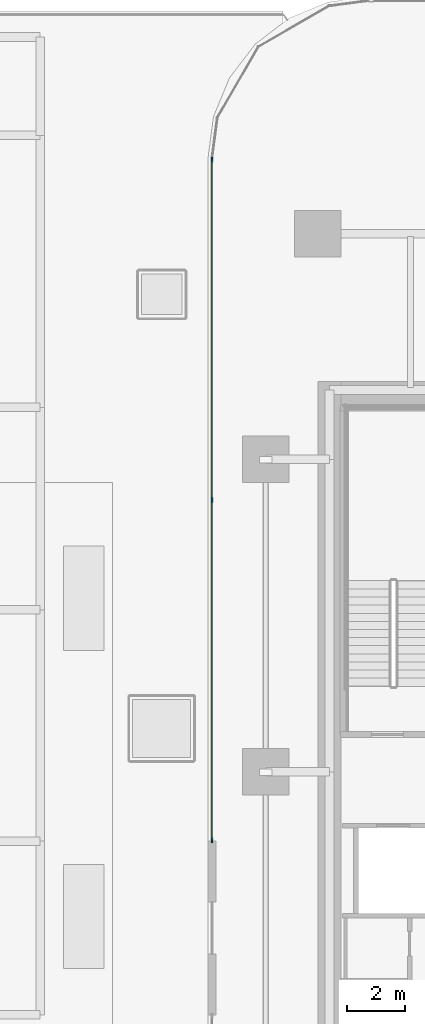
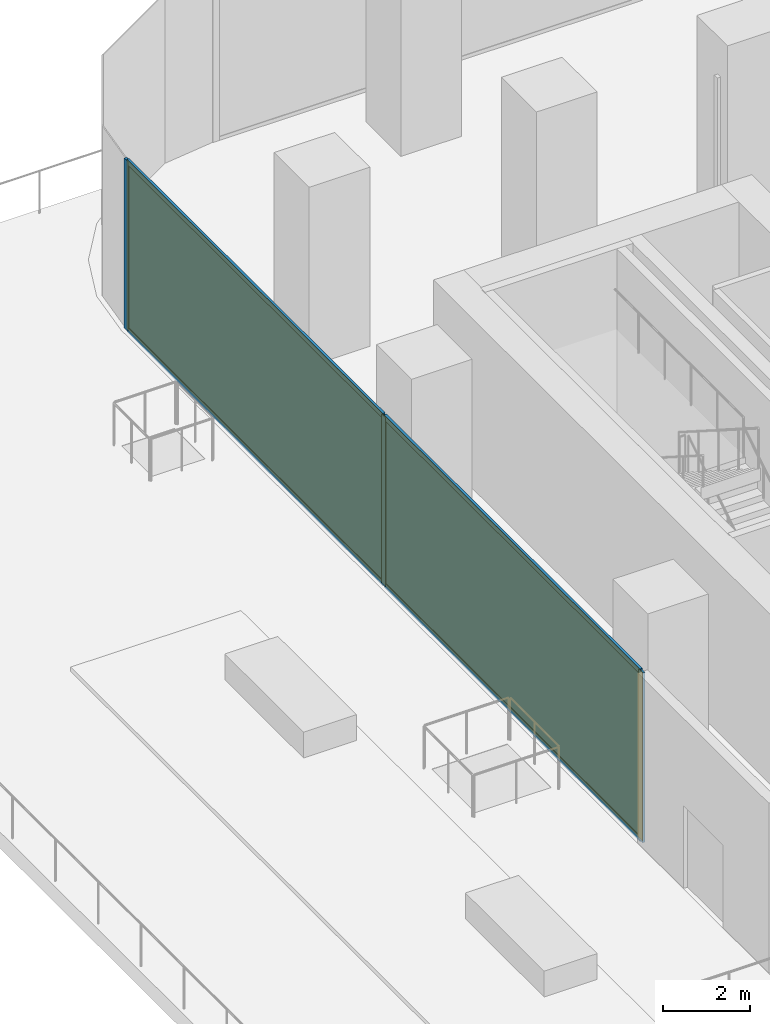
# One storey, part 13 of 21: 7 members, 2 plates, 1 curtain wall.
"""IFC4 building model written with IfcOpenShell, lengths in metres."""

import ifcopenshell
import ifcopenshell.guid

model = None  # the IFC model being written
_history = None  # IfcOwnerHistory: only IFC2X3 demands one
_inside = {}  # id of a spatial element -> (the spatial element, [elements in it])
_under = {}  # id of a project, library or spatial element -> (it, [spatial elements below it])
_declared = {}  # id of a project -> (the project, [libraries it declares])
_typed = {}  # id of a type object -> (the type object, [elements of that type])
_made_of = {}  # id of a material, layer set ... -> (it, [elements and type objects made of it])


def new_model(schema):
    """Start an empty IFC model of exactly this schema.

    Asked for "IFC4X3", IfcOpenShell would pick the latest addendum, in which some entities
    have other attributes; the version numbers below select the first issue.
    IFC2X3 requires an IfcOwnerHistory on every rooted entity: one is made here for all.
    """
    global model, _history
    if schema == "IFC4X3":
        model = ifcopenshell.file(schema_version=(4, 3, 0, 0))
    else:
        model = ifcopenshell.file(schema=schema)
    _inside.clear()
    _under.clear()
    _declared.clear()
    _typed.clear()
    _made_of.clear()
    _history = None
    if model.schema == "IFC2X3":
        org = make("IfcOrganization", Name="unknown")
        user = make(
            "IfcPersonAndOrganization",
            ThePerson=make("IfcPerson", FamilyName="unknown"),
            TheOrganization=org,
        )
        app = make(
            "IfcApplication",
            ApplicationDeveloper=org,
            Version="unknown",
            ApplicationFullName="unknown",
            ApplicationIdentifier="unknown",
        )
        _history = make(
            "IfcOwnerHistory",
            OwningUser=user,
            OwningApplication=app,
            ChangeAction="ADDED",
            CreationDate=0,
        )
    return model


def make(cls, **values):
    """One entity of the class cls with the attributes given. An attribute that is None is left unset."""
    return model.create_entity(
        cls, **{name: value for name, value in values.items() if value is not None}
    )


def rooted(cls, **values):
    """An entity with a GlobalId (a new one), such as an element, a storey or a relation."""
    return make(cls, GlobalId=ifcopenshell.guid.new(), OwnerHistory=_history, **values)


def si_unit(unit_type, name, prefix=None):
    """IfcSIUnit, for example si_unit("LENGTHUNIT", "METRE", prefix="MILLI")."""
    return make("IfcSIUnit", UnitType=unit_type, Prefix=prefix, Name=name)


def assignment(units):
    """IfcUnitAssignment: the units of a project."""
    return None if units is None else make("IfcUnitAssignment", Units=units)


def point(xyz):
    """IfcCartesianPoint."""
    return None if xyz is None else make("IfcCartesianPoint", Coordinates=xyz)


def direction(xyz):
    """IfcDirection."""
    return None if xyz is None else make("IfcDirection", DirectionRatios=xyz)


def frame(location, z_axis=None, x_axis=None):
    """IfcAxis2Placement3D, a coordinate frame: its origin and axes. An axis left out is left unset."""
    return make(
        "IfcAxis2Placement3D",
        Location=point(location),
        Axis=direction(z_axis),
        RefDirection=direction(x_axis),
    )


def frame_2d(location, x_axis=None):
    """IfcAxis2Placement2D, a coordinate frame in the plane: its origin and x axis."""
    return make(
        "IfcAxis2Placement2D", Location=point(location), RefDirection=direction(x_axis)
    )


def origin():
    """The frame at (0, 0, 0) with its axes left unset."""
    return frame((0.0, 0.0, 0.0))


def origin_2d():
    """The frame at (0, 0) in the plane with its x axis left unset."""
    return frame_2d((0.0, 0.0))


def place(relative_to, where):
    """IfcLocalPlacement: puts the frame where relative to a parent placement (None: the world)."""
    return make(
        "IfcLocalPlacement", PlacementRelTo=relative_to, RelativePlacement=where
    )


def context(
    kind, dimensions, precision=None, world=None, true_north=None, identifier=None
):
    """IfcGeometricRepresentationContext, for example the 3D "Model" context."""
    return make(
        "IfcGeometricRepresentationContext",
        ContextIdentifier=identifier,
        ContextType=kind,
        CoordinateSpaceDimension=dimensions,
        Precision=precision,
        WorldCoordinateSystem=world,
        TrueNorth=true_north,
    )


def subcontext(parent, identifier, kind, view, scale=None):
    """IfcGeometricRepresentationSubContext, for example "Body" below "Model"."""
    return make(
        "IfcGeometricRepresentationSubContext",
        ContextIdentifier=identifier,
        ContextType=kind,
        ParentContext=parent,
        TargetScale=scale,
        TargetView=view,
    )


def project(units=None, contexts=None):
    """IfcProject with its units and contexts."""
    return rooted(
        "IfcProject",
        Name="project",
        RepresentationContexts=contexts,
        UnitsInContext=assignment(units),
    )


def spatial(cls, under=None, at=None, **own):
    """A site, building, storey or space (cls), placed at a placement, below another one or the project."""
    s = rooted(cls, ObjectPlacement=at, **own)
    if under is not None:
        _under.setdefault(under.id(), (under, []))[1].append(s)
    return s


def profile(cls, at=None, kind="AREA", **sizes):
    """A parametric profile (cls). Its sizes go by their IFC names, for example OverallWidth=200.0."""
    return make(cls, ProfileType=kind, Position=at, **sizes)


def rectangle(**sizes):
    """IfcRectangleProfileDef."""
    return profile("IfcRectangleProfileDef", **sizes)


def extrude(swept, where, along, depth):
    """IfcExtrudedAreaSolid: the profile swept, set in the frame where, extruded along a direction by depth."""
    return make(
        "IfcExtrudedAreaSolid",
        SweptArea=swept,
        Position=where,
        ExtrudedDirection=direction(along),
        Depth=depth,
    )


def shape(context_of_items, identifier, shape_type, items):
    """IfcShapeRepresentation: the items that make up one representation, for example the "Body"."""
    return make(
        "IfcShapeRepresentation",
        ContextOfItems=context_of_items,
        RepresentationIdentifier=identifier,
        RepresentationType=shape_type,
        Items=items,
    )


def material(Name=None, Category=None):
    """IfcMaterial."""
    return make("IfcMaterial", Name=Name, Category=Category)


def layer(
    of_material, thickness, ventilated=None, Name=None, Category=None, Priority=None
):
    """IfcMaterialLayer: one layer of a wall or slab, of a material (None: an air gap)."""
    return make(
        "IfcMaterialLayer",
        Material=of_material,
        LayerThickness=thickness,
        IsVentilated=ventilated,
        Name=Name,
        Category=Category,
        Priority=Priority,
    )


def layer_set(layers, Name=None):
    """IfcMaterialLayerSet."""
    return make("IfcMaterialLayerSet", MaterialLayers=layers, LayerSetName=Name)


def material_profile(
    of_material, cross_section, Name=None, Category=None, Priority=None
):
    """IfcMaterialProfile: a cross section and its material."""
    return make(
        "IfcMaterialProfile",
        Name=Name,
        Material=of_material,
        Profile=cross_section,
        Priority=Priority,
        Category=Category,
    )


def profile_set(profiles, Name=None, composite=None):
    """IfcMaterialProfileSet."""
    return make(
        "IfcMaterialProfileSet",
        Name=Name,
        MaterialProfiles=profiles,
        CompositeProfile=composite,
    )


def made_of(thing, what):
    """Note that an element or type object is made of a material, layer set ...; save() writes the relation."""
    if what is not None:
        _made_of.setdefault(what.id(), (what, []))[1].append(thing)
    return thing


def type_object(cls, material=None, **own):
    """A type object (cls), such as IfcWallType, which elements share."""
    return made_of(rooted(cls, **own), material)


def element(
    cls,
    number,
    at=None,
    inside=None,
    cuts=None,
    type_object=None,
    material=None,
    context=None,
    identifier="Body",
    shape_type=None,
    held_by="IfcProductDefinitionShape",
    body=None,
    shapes=None,
    **own,
):
    """One element of the class cls, such as IfcWall. Its Tag is "e" and its number.

    at: its placement. inside: the storey or other place that contains it. cuts: it is an
    opening in that element (IfcRelVoidsElement). A single representation is given by context,
    identifier, shape_type and body (its items); several are given by shapes. held_by: the class
    of the entity that holds the representations. save() writes the other relations.
    """
    e = rooted(cls, Tag="e%d" % number, ObjectPlacement=at, **own)
    if body is not None:
        shapes = [shape(context, identifier, shape_type, body)]
    if shapes is not None:
        e.Representation = make(held_by, Representations=shapes)
    if inside is not None:
        _inside.setdefault(inside.id(), (inside, []))[1].append(e)
    if cuts is not None:
        rooted(
            "IfcRelVoidsElement", RelatingBuildingElement=cuts, RelatedOpeningElement=e
        )
    if type_object is not None:
        _typed.setdefault(type_object.id(), (type_object, []))[1].append(e)
    return made_of(e, material)


def aggregate(whole, parts):
    """IfcRelAggregates: a whole, such as a stair, and the parts it consists of."""
    return rooted("IfcRelAggregates", RelatingObject=whole, RelatedObjects=parts)


def save(model, path):
    """Write the relations noted so far, then the file.

    IfcRelAggregates (storeys below a building ...), IfcRelContainedInSpatialStructure (elements
    in a storey), IfcRelDefinesByType, IfcRelAssociatesMaterial and IfcRelDeclares: one each for
    every whole, place, type object, material and project.
    """
    for whole, parts in _under.values():
        aggregate(whole, parts)
    for where, things in _inside.values():
        rooted(
            "IfcRelContainedInSpatialStructure",
            RelatedElements=things,
            RelatingStructure=where,
        )
    for kind, things in _typed.values():
        rooted("IfcRelDefinesByType", RelatedObjects=things, RelatingType=kind)
    for what, things in _made_of.values():
        rooted("IfcRelAssociatesMaterial", RelatedObjects=things, RelatingMaterial=what)
    for by, libraries in _declared.values():
        rooted("IfcRelDeclares", RelatingContext=by, RelatedDefinitions=libraries)
    model.write(path)


model = new_model("IFC4")

# Units and contexts
model_context = context("Model", 3, precision=1e-05, world=origin(), true_north=direction((0.0, 1.0)))
body_context = subcontext(model_context, "Body", "Model", "MODEL_VIEW")
ifc_project = project(units=[si_unit("LENGTHUNIT", "METRE"), si_unit("AREAUNIT", "SQUARE_METRE"), si_unit("VOLUMEUNIT", "CUBIC_METRE"), si_unit("PLANEANGLEUNIT", "RADIAN"), si_unit("MASSUNIT", "GRAM", prefix="KILO")], contexts=[model_context])

# Member
ifc_material_1 = material(Name="Anodised Bronze Aluminium 6063-T6", Category="aluminium")
ifc_material_profile_1 = material_profile(ifc_material_1, rectangle(XDim=0.06494140625, YDim=0.179931640625, at=origin_2d()))
ifc_profile_set_1 = profile_set([ifc_material_profile_1], Name="Anodised Bronze Aluminium 6063-T6")
member_type_1 = type_object("IfcMemberType", Name="CW-Z1 Mullion 65x180", PredefinedType="MULLION", material=ifc_profile_set_1)
site_placement = place(None, origin())
building_placement = place(site_placement, origin())
storey_placement = place(building_placement, frame((0.0, 0.0, 21.0)))
member_1_placement = place(storey_placement, frame((-24.06005859375, -2.367431640625, 0.0), z_axis=(0.0, 0.0, 1.0), x_axis=(-1.0, 0.0, 0.0)))
member_1 = element("IfcMember", 1, at=member_1_placement, type_object=member_type_1, Name="CW-Z1 mullion 1", PredefinedType="MULLION", context=body_context, shape_type="SweptSolid", body=[
    extrude(rectangle(XDim=0.06494140625, YDim=0.179931640625, at=origin_2d()), origin(), (0.0, 0.0, 1.0), 4.739990234375),
])

member_2_placement = place(storey_placement, frame((-24.06005859375, 9.3955078125, 0.0), z_axis=(0.0, 0.0, 1.0), x_axis=(-1.0, 0.0, 0.0)))
member_2 = element("IfcMember", 2, at=member_2_placement, type_object=member_type_1, Name="CW-Z1 mullion 2", PredefinedType="MULLION", context=body_context, shape_type="SweptSolid", body=[
    extrude(rectangle(XDim=0.06494140625, YDim=0.179931640625, at=origin_2d()), origin(), (0.0, 0.0, 1.0), 4.739990234375),
])

member_3_placement = place(storey_placement, frame((-24.06005859375, 21.158203125, 0.0), z_axis=(0.0, 0.0, 1.0), x_axis=(-1.0, 0.0, 0.0)))
member_3 = element("IfcMember", 3, at=member_3_placement, type_object=member_type_1, Name="CW-Z1 mullion 3", PredefinedType="MULLION", context=body_context, shape_type="SweptSolid", body=[
    extrude(rectangle(XDim=0.06494140625, YDim=0.179931640625, at=origin_2d()), origin(), (0.0, 0.0, 1.0), 4.739990234375),
])

ifc_material_2 = material(Name="Anodised Bronze Aluminium 6063-T6", Category="aluminium")
ifc_material_profile_2 = material_profile(ifc_material_2, rectangle(XDim=0.06494140625, YDim=0.139892578125, at=origin_2d()))
ifc_profile_set_2 = profile_set([ifc_material_profile_2], Name="Anodised Bronze Aluminium 6063-T6")
member_type_2 = type_object("IfcMemberType", Name="CW-Z1 Transom 65x140", PredefinedType="USERDEFINED", material=ifc_profile_set_2)
member_4_placement = place(storey_placement, frame((-24.06005859375, -2.3349609375, 0.032470703125), z_axis=(0.0, 1.0, 0.0), x_axis=(-1.0, 0.0, 0.0)))
member_4 = element("IfcMember", 4, at=member_4_placement, type_object=member_type_2, Name="CW-Z1 transom 1.1", ObjectType="TRANSOM", PredefinedType="USERDEFINED", context=body_context, shape_type="SweptSolid", body=[
    extrude(rectangle(XDim=0.06494140625, YDim=0.139892578125, at=origin_2d()), origin(), (0.0, 0.0, 1.0), 11.69775390625),
])

member_5_placement = place(storey_placement, frame((-24.06005859375, -2.3349609375, 4.70751953125), z_axis=(0.0, 1.0, 0.0), x_axis=(-1.0, 0.0, 0.0)))
member_5 = element("IfcMember", 5, at=member_5_placement, type_object=member_type_2, Name="CW-Z1 transom 1.2", ObjectType="TRANSOM", PredefinedType="USERDEFINED", context=body_context, shape_type="SweptSolid", body=[
    extrude(rectangle(XDim=0.06494140625, YDim=0.139892578125, at=origin_2d()), origin(), (0.0, 0.0, 1.0), 11.69775390625),
])

member_6_placement = place(storey_placement, frame((-24.06005859375, 9.427978515625, 0.032470703125), z_axis=(0.0, 1.0, 0.0), x_axis=(-1.0, 0.0, 0.0)))
member_6 = element("IfcMember", 6, at=member_6_placement, type_object=member_type_2, Name="CW-Z1 transom 2.1", ObjectType="TRANSOM", PredefinedType="USERDEFINED", context=body_context, shape_type="SweptSolid", body=[
    extrude(rectangle(XDim=0.06494140625, YDim=0.139892578125, at=origin_2d()), origin(), (0.0, 0.0, 1.0), 11.69775390625),
])

member_7_placement = place(storey_placement, frame((-24.06005859375, 9.427978515625, 4.70751953125), z_axis=(0.0, 1.0, 0.0), x_axis=(-1.0, 0.0, 0.0)))
member_7 = element("IfcMember", 7, at=member_7_placement, type_object=member_type_2, Name="CW-Z1 transom 2.2", ObjectType="TRANSOM", PredefinedType="USERDEFINED", context=body_context, shape_type="SweptSolid", body=[
    extrude(rectangle(XDim=0.06494140625, YDim=0.139892578125, at=origin_2d()), origin(), (0.0, 0.0, 1.0), 11.69775390625),
])

# Plate
ifc_material_3 = material(Name="Low-E Solar Control Laminated Glass", Category="glass")
ifc_layer_1 = layer(ifc_material_3, 0.028076171875, Name="Low-E Solar Control Laminated Glass")
ifc_layer_set_1 = layer_set([ifc_layer_1], Name="Low-E Solar Control Laminated Glass")
plate_type = type_object("IfcPlateType", Name="CW-Z1 Low-E Double Glazed Panel 28mm", PredefinedType="CURTAIN_PANEL", material=ifc_layer_set_1)
plate_1_placement = place(storey_placement, frame((-24.06005859375, 3.513916015625, 0.06494140625), z_axis=(0.0, 0.0, 1.0), x_axis=(0.0, 1.0, 0.0)))
plate_1 = element("IfcPlate", 8, at=plate_1_placement, type_object=plate_type, Name="CW-Z1 panel 1.1", PredefinedType="CURTAIN_PANEL", context=body_context, shape_type="SweptSolid", body=[
    extrude(rectangle(XDim=11.697998046875, YDim=0.028076171875, at=origin_2d()), origin(), (0.0, 0.0, 1.0), 4.610107421875),
])

plate_2_placement = place(storey_placement, frame((-24.06005859375, 15.27685546875, 0.06494140625), z_axis=(0.0, 0.0, 1.0), x_axis=(0.0, 1.0, 0.0)))
plate_2 = element("IfcPlate", 9, at=plate_2_placement, type_object=plate_type, Name="CW-Z1 panel 2.1", PredefinedType="CURTAIN_PANEL", context=body_context, shape_type="SweptSolid", body=[
    extrude(rectangle(XDim=11.697998046875, YDim=0.028076171875, at=origin_2d()), origin(), (0.0, 0.0, 1.0), 4.610107421875),
])

# Site, building, storey
site = spatial("IfcSite", under=ifc_project, at=site_placement, CompositionType="ELEMENT")
building = spatial("IfcBuilding", under=site, at=building_placement, Name="Khairoan Windgate Tower", CompositionType="ELEMENT")
storey = spatial("IfcBuildingStorey", under=building, at=storey_placement, Name="L05", CompositionType="ELEMENT", Elevation=21.0)

# Curtain wall
ifc_material_4 = material(Name="Anodised Bronze Aluminium 6063-T6", Category="aluminium")
ifc_layer_2 = layer(ifc_material_4, 0.179931640625, Name="Anodised Bronze Aluminium 6063-T6")
ifc_layer_set_2 = layer_set([ifc_layer_2], Name="Anodised Bronze Aluminium 6063-T6")
curtain_wall_type = type_object("IfcCurtainWallType", Name="Low-Rise Office Unitised Curtain Wall CW-Z1", PredefinedType="NOTDEFINED", material=ifc_layer_set_2)
curtain_wall_placement = place(storey_placement, frame((-24.06005859375, -2.39990234375, 0.0), z_axis=(0.0, 0.0, 1.0), x_axis=(0.0, 1.0, 0.0)))
curtain_wall = element("IfcCurtainWall", 10, at=curtain_wall_placement, inside=storey, type_object=curtain_wall_type, Name="L05 Curtain Wall 5B", PredefinedType="NOTDEFINED", context=body_context, shape_type="SweptSolid", body=[
    extrude(rectangle(XDim=23.5908203125, YDim=0.010009765625, at=frame_2d((11.79541015625, 0.0))), origin(), (0.0, 0.0, 1.0), 4.739990234375),
])

aggregate(curtain_wall, [member_1, member_2, member_3, member_4, member_5, plate_1, member_6, member_7, plate_2])

save(model, "model.ifc")
